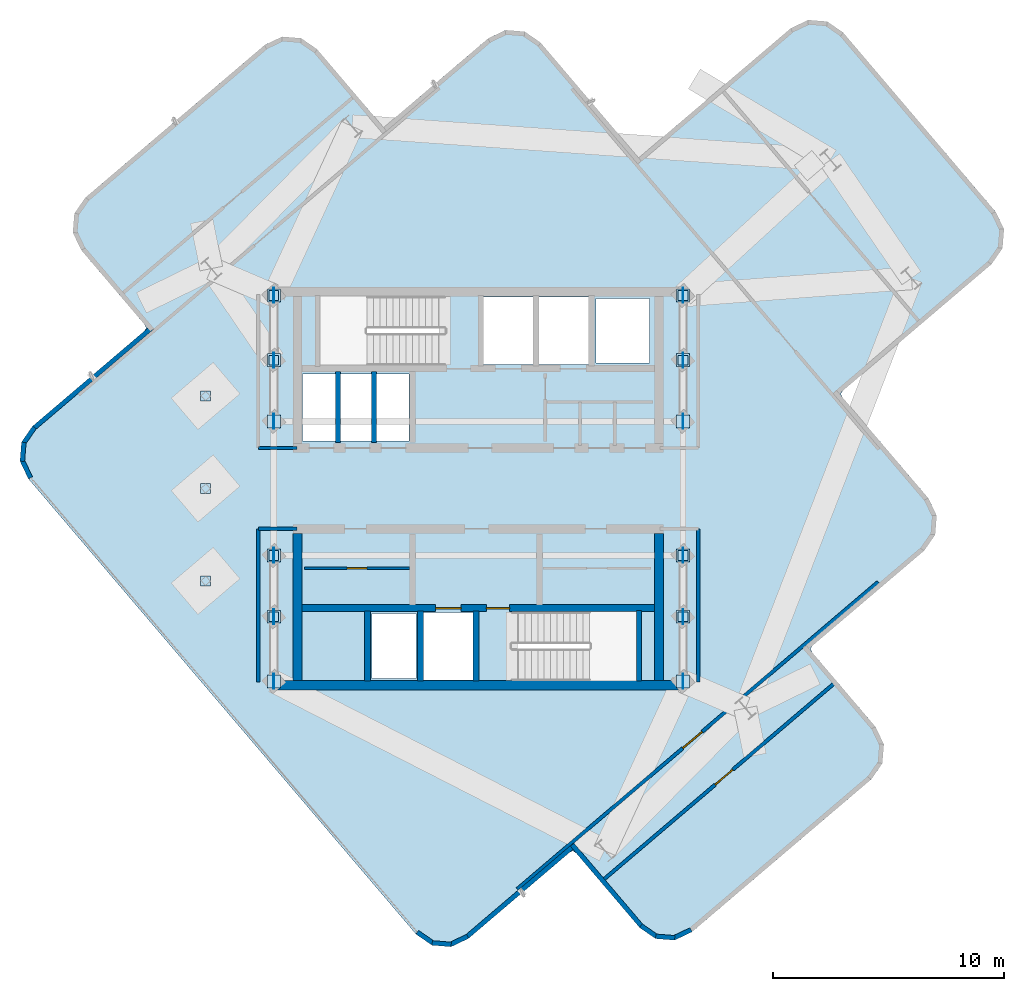
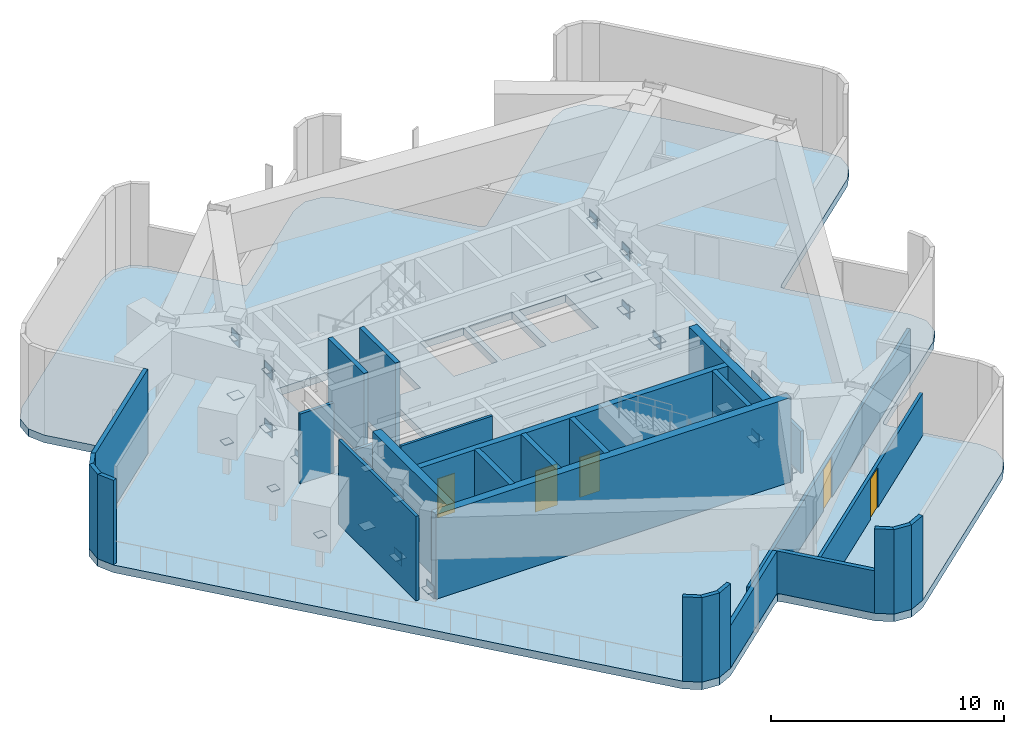
# One storey, part 2 of 7: 39 plates, 29 walls, 5 doors, 1 slab, 5 openings.
"""IFC4 building model written with IfcOpenShell, lengths in metres."""

from ifc_helpers import new_model, si_unit, direction, frame, frame_2d, origin, origin_2d, place, context, subcontext, project, spatial, polyline, rectangle, outline, extrude, material, layer, layer_set, type_object, element, fill, save


model = new_model("IFC4")

# Units and contexts
model_context = context("Model", 3, precision=1e-05, world=origin(), true_north=direction((0.0, 1.0)))
body_context = subcontext(model_context, "Body", "Model", "MODEL_VIEW")
ifc_project = project(units=[si_unit("LENGTHUNIT", "METRE"), si_unit("AREAUNIT", "SQUARE_METRE"), si_unit("VOLUMEUNIT", "CUBIC_METRE"), si_unit("PLANEANGLEUNIT", "RADIAN"), si_unit("MASSUNIT", "GRAM", prefix="KILO")], contexts=[model_context])

# Site, building, storey
site_placement = place(None, origin())
site = spatial("IfcSite", under=ifc_project, at=site_placement, CompositionType="ELEMENT")
building_placement = place(site_placement, origin())
building = spatial("IfcBuilding", under=site, at=building_placement, Name="Solmarez Civic Tower", CompositionType="ELEMENT")
storey_placement = place(building_placement, frame((0.0, 0.0, 239.39990234375)))
storey = spatial("IfcBuildingStorey", under=building, at=storey_placement, Name="L64", CompositionType="ELEMENT", Elevation=239.39990234375)

# Plates
ifc_material_1 = material(Name="Steel S355", Category="steel")
ifc_layer_1 = layer(ifc_material_1, 0.02392578125)
ifc_layer_set_1 = layer_set([ifc_layer_1], Name="Steel S355")
plate_type_1 = type_object("IfcPlateType", Name="PLT-CAP-380", PredefinedType="USERDEFINED", material=ifc_layer_set_1)
for number, where, z_axis, x_axis, name in (
    (1, (-8.85009765625, -5.550048828125, 3.358154296875), (0.0, 0.0, 1.0), (1.0, 0.0, 0.0), "Steel Member End Cap Plate CAP-BRC-L64-01-1"),
    (2, (-8.85009765625, -2.89990234375, 3.358154296875), (0.0, 0.0, 1.0), (1.0, 0.0, 0.0), "Steel Member End Cap Plate CAP-BRC-L64-02-1"),
    (3, (-8.85009765625, 5.550048828125, 3.358154296875), (0.0, 0.0, 1.0), (1.0, 0.0, 0.0), "Steel Member End Cap Plate CAP-BRC-L64-03-1"),
    (4, (-8.85009765625, 8.35009765625, 3.358154296875), (0.0, 0.0, 1.0), (1.0, 0.0, 0.0), "Steel Member End Cap Plate CAP-BRC-L64-04-1"),
    (5, (8.85009765625, -5.550048828125, 3.358154296875), (0.0, 0.0, 1.0), (1.0, 0.0, 0.0), "Steel Member End Cap Plate CAP-BRC-L64-05-1"),
    (6, (8.85009765625, -2.89990234375, 3.358154296875), (0.0, 0.0, 1.0), (1.0, 0.0, 0.0), "Steel Member End Cap Plate CAP-BRC-L64-06-1"),
    (7, (8.85009765625, 5.550048828125, 3.358154296875), (0.0, 0.0, 1.0), (1.0, 0.0, 0.0), "Steel Member End Cap Plate CAP-BRC-L64-07-1"),
    (8, (8.85009765625, 8.35009765625, 3.358154296875), (0.0, 0.0, 1.0), (1.0, 0.0, 0.0), "Steel Member End Cap Plate CAP-BRC-L64-08-1"),
    (9, (-11.800048828125, -4.0, 1.588134765625), (0.0, 0.0, 1.0), (1.0, 0.0, 0.0), "Steel Member End Cap Plate CAP-COL-WT-PED-1"),
    (10, (-11.800048828125, 0.0, 1.588134765625), (0.0, 0.0, 1.0), (1.0, 0.0, 0.0), "Steel Member End Cap Plate CAP-COL-WT-PED-2"),
    (11, (-11.800048828125, 4.0, 1.588134765625), (0.0, 0.0, 1.0), (1.0, 0.0, 0.0), "Steel Member End Cap Plate CAP-COL-WT-PED-3"),
):
    element("IfcPlate", number, at=place(storey_placement, frame(where, z_axis=z_axis, x_axis=x_axis)), inside=storey, type_object=plate_type_1, Name=name, ObjectType="CAP_PLATE", PredefinedType="USERDEFINED", context=body_context, shape_type="SweptSolid", body=[
        extrude(rectangle(XDim=0.419921875, YDim=0.419921875, at=origin_2d()), origin(), (0.0, 0.0, 1.0), 0.02392578125),
    ])
ifc_layer_2 = layer(ifc_material_1, 0.028076171875)
ifc_layer_set_2 = layer_set([ifc_layer_2], Name="Steel S355")
plate_type_2 = type_object("IfcPlateType", Name="PLT-CAP-540", PredefinedType="USERDEFINED", material=ifc_layer_set_2)
for number, where, z_axis, x_axis, name in (
    (12, (-8.85009765625, -8.35009765625, 0.3359375), (0.0, 0.0, 1.0), (1.0, 0.0, 0.0), "Steel Member End Cap Plate CAP-CHD-L64-01-0"),
    (13, (-8.85009765625, -5.550048828125, 0.3359375), (0.0, 0.0, 1.0), (1.0, 0.0, 0.0), "Steel Member End Cap Plate CAP-CHD-L64-01-1"),
    (14, (-8.85009765625, -2.89990234375, 0.3359375), (0.0, 0.0, 1.0), (1.0, 0.0, 0.0), "Steel Member End Cap Plate CAP-CHD-L64-02-1"),
    (15, (-8.85009765625, 2.89990234375, 0.3359375), (0.0, 0.0, 1.0), (1.0, 0.0, 0.0), "Steel Member End Cap Plate CAP-CHD-L64-03-0"),
    (16, (-8.85009765625, 5.550048828125, 0.3359375), (0.0, 0.0, 1.0), (1.0, 0.0, 0.0), "Steel Member End Cap Plate CAP-CHD-L64-03-1"),
    (17, (-8.85009765625, 8.35009765625, 0.3359375), (0.0, 0.0, 1.0), (1.0, 0.0, 0.0), "Steel Member End Cap Plate CAP-CHD-L64-04-1"),
    (18, (8.85009765625, -8.35009765625, 0.3359375), (0.0, 0.0, 1.0), (1.0, 0.0, 0.0), "Steel Member End Cap Plate CAP-CHD-L64-05-0"),
    (19, (8.85009765625, -5.550048828125, 0.3359375), (0.0, 0.0, 1.0), (1.0, 0.0, 0.0), "Steel Member End Cap Plate CAP-CHD-L64-05-1"),
    (20, (8.85009765625, -2.89990234375, 0.3359375), (0.0, 0.0, 1.0), (1.0, 0.0, 0.0), "Steel Member End Cap Plate CAP-CHD-L64-06-1"),
    (21, (8.85009765625, 2.89990234375, 0.3359375), (0.0, 0.0, 1.0), (1.0, 0.0, 0.0), "Steel Member End Cap Plate CAP-CHD-L64-07-0"),
    (22, (8.85009765625, 5.550048828125, 0.3359375), (0.0, 0.0, 1.0), (1.0, 0.0, 0.0), "Steel Member End Cap Plate CAP-CHD-L64-07-1"),
    (23, (8.85009765625, 8.35009765625, 0.3359375), (0.0, 0.0, 1.0), (1.0, 0.0, 0.0), "Steel Member End Cap Plate CAP-CHD-L64-08-1"),
):
    element("IfcPlate", number, at=place(storey_placement, frame(where, z_axis=z_axis, x_axis=x_axis)), inside=storey, type_object=plate_type_2, Name=name, ObjectType="CAP_PLATE", PredefinedType="USERDEFINED", context=body_context, shape_type="SweptSolid", body=[
        extrude(rectangle(XDim=0.56005859375, YDim=0.56005859375, at=origin_2d()), origin(), (0.0, 0.0, 1.0), 0.028076171875),
    ])
ifc_layer_3 = layer(ifc_material_1, 0.031982421875)
ifc_layer_set_3 = layer_set([ifc_layer_3], Name="Steel S355")
plate_type_3 = type_object("IfcPlateType", Name="PLT-GUSSET-32", PredefinedType="USERDEFINED", material=ifc_layer_set_3)
for number, where, z_axis, x_axis, name in (
    (24, (-8.85009765625, -8.35009765625, 0.025146484375), (0.0, 0.0, 1.0), (0.0, 1.0, 0.0), "L64 Structural Gusset Plate GUS-L64-01-0"),
    (25, (-8.85009765625, -5.550048828125, 3.045166015625), (0.0, 0.0, 1.0), (0.0, 1.0, 0.0), "L64 Structural Gusset Plate GUS-L64-01-1"),
    (26, (-8.85009765625, -5.550048828125, 0.025146484375), (0.0, 0.0, 1.0), (0.0, 1.0, 0.0), "L64 Structural Gusset Plate GUS-L64-02-0"),
    (27, (-8.85009765625, -2.89990234375, 3.045166015625), (0.0, 0.0, 1.0), (0.0, 1.0, 0.0), "L64 Structural Gusset Plate GUS-L64-02-1"),
    (28, (-8.85009765625, 2.89990234375, 0.025146484375), (0.0, 0.0, 1.0), (0.0, 1.0, 0.0), "L64 Structural Gusset Plate GUS-L64-03-0"),
    (29, (-8.85009765625, 5.550048828125, 3.045166015625), (0.0, 0.0, 1.0), (0.0, 1.0, 0.0), "L64 Structural Gusset Plate GUS-L64-03-1"),
    (30, (-8.85009765625, 5.550048828125, 0.025146484375), (0.0, 0.0, 1.0), (0.0, 1.0, 0.0), "L64 Structural Gusset Plate GUS-L64-04-0"),
    (31, (-8.85009765625, 8.35009765625, 3.045166015625), (0.0, 0.0, 1.0), (0.0, 1.0, 0.0), "L64 Structural Gusset Plate GUS-L64-04-1"),
    (32, (8.85009765625, -8.35009765625, 0.025146484375), (0.0, 0.0, 1.0), (0.0, 1.0, 0.0), "L64 Structural Gusset Plate GUS-L64-05-0"),
    (33, (8.85009765625, -5.550048828125, 3.045166015625), (0.0, 0.0, 1.0), (0.0, 1.0, 0.0), "L64 Structural Gusset Plate GUS-L64-05-1"),
    (34, (8.85009765625, -5.550048828125, 0.025146484375), (0.0, 0.0, 1.0), (0.0, 1.0, 0.0), "L64 Structural Gusset Plate GUS-L64-06-0"),
    (35, (8.85009765625, -2.89990234375, 3.045166015625), (0.0, 0.0, 1.0), (0.0, 1.0, 0.0), "L64 Structural Gusset Plate GUS-L64-06-1"),
    (36, (8.85009765625, 2.89990234375, 0.025146484375), (0.0, 0.0, 1.0), (0.0, 1.0, 0.0), "L64 Structural Gusset Plate GUS-L64-07-0"),
    (37, (8.85009765625, 5.550048828125, 3.045166015625), (0.0, 0.0, 1.0), (0.0, 1.0, 0.0), "L64 Structural Gusset Plate GUS-L64-07-1"),
    (38, (8.85009765625, 5.550048828125, 0.025146484375), (0.0, 0.0, 1.0), (0.0, 1.0, 0.0), "L64 Structural Gusset Plate GUS-L64-08-0"),
    (39, (8.85009765625, 8.35009765625, 3.045166015625), (0.0, 0.0, 1.0), (0.0, 1.0, 0.0), "L64 Structural Gusset Plate GUS-L64-08-1"),
):
    element("IfcPlate", number, at=place(storey_placement, frame(where, z_axis=z_axis, x_axis=x_axis)), inside=storey, type_object=plate_type_3, Name=name, ObjectType="GUSSET_PLATE", PredefinedType="USERDEFINED", context=body_context, shape_type="SweptSolid", body=[
        extrude(rectangle(XDim=0.64990234375, YDim=0.031982421875, at=origin_2d()), origin(), (0.0, 0.0, 1.0), 0.64990234375),
    ])

# Slab
ifc_material_2 = material(Name="Concrete C60/75", Category="concrete")
ifc_layer_4 = layer(ifc_material_2, 0.39990234375)
ifc_layer_set_4 = layer_set([ifc_layer_4], Name="Concrete C60/75")
slab_type = type_object("IfcSlabType", Name="SLAB-TRANS-400", PredefinedType="FLOOR", material=ifc_layer_set_4)
slab_placement = place(storey_placement, frame((0.0, 0.0, -0.39990234375)))
element("IfcSlab", 40, at=slab_placement, inside=storey, type_object=slab_type, Name="L64 Structural Slab", PredefinedType="FLOOR", context=body_context, shape_type="SweptSolid", body=[
    extrude(outline(polyline([(4.236083984375, -15.778076171875), (6.98388671875, -19.006103515625), (7.6650390625, -19.47607421875), (8.490966796875, -19.54296875), (9.239013671875, -19.18798828125), (17.007080078125, -12.576904296875), (17.47705078125, -11.89501953125), (17.54296875, -11.069091796875), (17.18798828125, -10.321044921875), (14.44091796875, -7.093017578125), (14.366943359375, -6.93701171875), (14.464111328125, -6.7958984375), (19.2919921875, -2.68701171875), (19.761962890625, -2.0048828125), (19.8291015625, -1.179931640625), (19.47412109375, -0.431884765625), (15.75390625, 3.93896484375), (15.679931640625, 4.093994140625), (15.778076171875, 4.236083984375), (22.205078125, 9.7060546875), (22.675048828125, 10.386962890625), (22.740966796875, 11.212890625), (22.385986328125, 11.9609375), (15.77490234375, 19.72900390625), (15.093017578125, 20.198974609375), (14.26806640625, 20.264892578125), (13.52001953125, 19.909912109375), (7.093017578125, 14.44091796875), (6.93701171875, 14.366943359375), (6.7958984375, 14.464111328125), (2.68701171875, 19.2919921875), (2.0048828125, 19.761962890625), (1.179931640625, 19.8291015625), (0.431884765625, 19.47412109375), (-3.93896484375, 15.75390625), (-4.093994140625, 15.679931640625), (-4.236083984375, 15.778076171875), (-6.98388671875, 19.006103515625), (-7.6650390625, 19.47607421875), (-8.490966796875, 19.54296875), (-9.239013671875, 19.18798828125), (-17.007080078125, 12.576904296875), (-17.47705078125, 11.89501953125), (-17.54296875, 11.069091796875), (-17.18798828125, 10.321044921875), (-14.44091796875, 7.093017578125), (-14.366943359375, 6.93701171875), (-14.464111328125, 6.7958984375), (-19.2919921875, 2.68701171875), (-19.761962890625, 2.0048828125), (-19.8291015625, 1.179931640625), (-19.47412109375, 0.431884765625), (-2.68701171875, -19.2919921875), (-2.0048828125, -19.761962890625), (-1.179931640625, -19.8291015625), (-0.431884765625, -19.47412109375), (3.93896484375, -15.75390625), (4.093994140625, -15.679931640625), (4.236083984375, -15.778076171875)]), holes=[polyline([(-1.449951171875, 8.320068359375), (-6.85009765625, 8.320068359375), (-6.85009765625, 5.320068359375), (-1.449951171875, 5.320068359375), (-1.449951171875, 8.320068359375)]), polyline([(1.449951171875, -8.320068359375), (6.85009765625, -8.320068359375), (6.85009765625, -5.320068359375), (1.449951171875, -5.320068359375), (1.449951171875, -8.320068359375)]), polyline([(0.219970703125, 5.360107421875), (2.3798828125, 5.360107421875), (2.3798828125, 8.280029296875), (0.219970703125, 8.280029296875), (0.219970703125, 5.360107421875)]), polyline([(2.6201171875, 5.360107421875), (4.780029296875, 5.360107421875), (4.780029296875, 8.280029296875), (2.6201171875, 8.280029296875), (2.6201171875, 5.360107421875)]), polyline([(-2.3798828125, -8.280029296875), (-0.219970703125, -8.280029296875), (-0.219970703125, -5.360107421875), (-2.3798828125, -5.360107421875), (-2.3798828125, -8.280029296875)]), polyline([(-7.60009765625, 2.06005859375), (-6.1201171875, 2.06005859375), (-6.1201171875, 4.9599609375), (-7.60009765625, 4.9599609375), (-7.60009765625, 2.06005859375)]), polyline([(-6.0400390625, 2.06005859375), (-4.56005859375, 2.06005859375), (-4.56005859375, 4.9599609375), (-6.0400390625, 4.9599609375), (-6.0400390625, 2.06005859375)]), polyline([(-4.47998046875, 2.06005859375), (-3.0, 2.06005859375), (-3.0, 4.9599609375), (-4.47998046875, 4.9599609375), (-4.47998046875, 2.06005859375)]), polyline([(5.10009765625, 5.419921875), (7.39990234375, 5.419921875), (7.39990234375, 8.219970703125), (5.10009765625, 8.219970703125), (5.10009765625, 5.419921875)]), polyline([(-4.60009765625, -8.219970703125), (-2.699951171875, -8.219970703125), (-2.699951171875, -5.419921875), (-4.60009765625, -5.419921875), (-4.60009765625, -8.219970703125)])]), origin(), (0.0, 0.0, 1.0), 0.39990234375),
])

# Walls
ifc_material_3 = material(Name="Concrete C50/60", Category="concrete")
ifc_layer_5 = layer(ifc_material_3, 0.39990234375)
ifc_layer_set_5 = layer_set([ifc_layer_5], Name="Concrete C50/60")
wall_type_1 = type_object("IfcWallType", Name="WALL-CORE-400", PredefinedType="SHEAR", material=ifc_layer_set_5)
wall_1_placement = place(storey_placement, frame((8.780029296875, -8.510009765625, 0.0), z_axis=(0.0, 0.0, 1.0), x_axis=(-1.0, 0.0, 0.0)))
element("IfcWall", 41, at=wall_1_placement, inside=storey, type_object=wall_type_1, Name="L64 Split-Core Structural Wall SCW-S-L64", PredefinedType="SHEAR", context=body_context, shape_type="SweptSolid", body=[
    extrude(rectangle(XDim=17.56005859375, YDim=0.39990234375, at=frame_2d((8.780029296875, 0.0))), origin(), (0.0, 0.0, 1.0), 4.420166015625),
])
for number, where, z_axis, x_axis, name in (
    (42, (-7.820068359375, -8.31005859375, 0.0), (0.0, 0.0, 1.0), (0.0, 1.0, 0.0), "L64 Split-Core Structural Wall SCW-W-L64"),
    (43, (7.820068359375, -1.949951171875, 0.0), (0.0, 0.0, 1.0), (0.0, -1.0, 0.0), "L64 Split-Core Structural Wall SCW-E-L64"),
):
    element("IfcWall", number, at=place(storey_placement, frame(where, z_axis=z_axis, x_axis=x_axis)), inside=storey, type_object=wall_type_1, Name=name, PredefinedType="SHEAR", context=body_context, shape_type="SweptSolid", body=[
        extrude(rectangle(XDim=6.360107421875, YDim=0.39990234375, at=frame_2d((3.18017578125, 0.0))), origin(), (0.0, 0.0, 1.0), 4.420166015625),
    ])
ifc_material_4 = material(Name="Precast concrete C40/50", Category="concrete")
ifc_layer_6 = layer(ifc_material_4, 0.199951171875)
ifc_layer_set_6 = layer_set([ifc_layer_6], Name="Precast concrete C40/50")
wall_type_2 = type_object("IfcWallType", Name="WALL-EXT-200", PredefinedType="SOLIDWALL", material=ifc_layer_set_6)
wall_2_placement = place(storey_placement, frame((4.172119140625, -15.424072265625, 0.0), z_axis=(0.0, 0.0, 1.0), x_axis=(-0.761580290689, -0.648070567789, 0.0)))
element("IfcWall", 44, at=wall_2_placement, inside=storey, type_object=wall_type_2, Name="L64 Exterior Precast Wall 2", PredefinedType="SOLIDWALL", context=body_context, shape_type="SweptSolid", body=[
    extrude(rectangle(XDim=6.142822265625, YDim=0.199951171875, at=frame_2d((3.0712890625, 0.0))), origin(), (0.0, 0.0, 1.0), 2.212158203125),
])
wall_3_placement = place(storey_placement, frame((-0.464111328125, -19.3779296875, 0.0), z_axis=(0.0, 0.0, 1.0), x_axis=(-0.903209829664, -0.429199258619, 0.0)))
element("IfcWall", 45, at=wall_3_placement, inside=storey, type_object=wall_type_2, Name="L64 Exterior Precast Wall 3", PredefinedType="SOLIDWALL", context=body_context, shape_type="SweptSolid", body=[
    extrude(rectangle(XDim=0.839111328125, YDim=0.199951171875, at=frame_2d((0.41943359375, 0.0))), origin(), (0.0, 0.0, 1.0), 4.420166015625),
])
wall_4_placement = place(storey_placement, frame((-1.174072265625, -19.72900390625, 0.0), z_axis=(0.0, 0.0, 1.0), x_axis=(-0.996800199392, 0.079933487923, 0.0)))
element("IfcWall", 46, at=wall_4_placement, inside=storey, type_object=wall_type_2, Name="L64 Exterior Precast Wall 4", PredefinedType="SOLIDWALL", context=body_context, shape_type="SweptSolid", body=[
    extrude(rectangle(XDim=0.82470703125, YDim=0.199951171875, at=frame_2d((0.412353515625, 0.0))), origin(), (0.0, 0.0, 1.0), 4.420166015625),
])
wall_5_placement = place(storey_placement, frame((-1.949951171875, -19.678955078125, 0.0), z_axis=(0.0, 0.0, 1.0), x_axis=(-0.823540820379, 0.567257011565, 0.0)))
element("IfcWall", 47, at=wall_5_placement, inside=storey, type_object=wall_type_2, Name="L64 Exterior Precast Wall 5", PredefinedType="SOLIDWALL", context=body_context, shape_type="SweptSolid", body=[
    extrude(rectangle(XDim=0.83935546875, YDim=0.199951171875, at=frame_2d((0.419677734375, 0.0))), origin(), (0.0, 0.0, 1.0), 4.420166015625),
])
wall_6_placement = place(storey_placement, frame((-19.3779296875, 0.464111328125, 0.0), z_axis=(0.0, 0.0, 1.0), x_axis=(-0.429199258619, 0.903209829664, 0.0)))
element("IfcWall", 48, at=wall_6_placement, inside=storey, type_object=wall_type_2, Name="L64 Exterior Precast Wall 7", PredefinedType="SOLIDWALL", context=body_context, shape_type="SweptSolid", body=[
    extrude(rectangle(XDim=0.839111328125, YDim=0.199951171875, at=frame_2d((0.41943359375, 0.0))), origin(), (0.0, 0.0, 1.0), 4.420166015625),
])
wall_7_placement = place(storey_placement, frame((-19.72900390625, 1.174072265625, 0.0), z_axis=(0.0, 0.0, 1.0), x_axis=(0.079933487923, 0.996800199392, 0.0)))
element("IfcWall", 49, at=wall_7_placement, inside=storey, type_object=wall_type_2, Name="L64 Exterior Precast Wall 8", PredefinedType="SOLIDWALL", context=body_context, shape_type="SweptSolid", body=[
    extrude(rectangle(XDim=0.82470703125, YDim=0.199951171875, at=frame_2d((0.412353515625, 0.0))), origin(), (0.0, 0.0, 1.0), 4.420166015625),
])
wall_8_placement = place(storey_placement, frame((-19.678955078125, 1.949951171875, 0.0), z_axis=(0.0, 0.0, 1.0), x_axis=(0.567257011565, 0.823540820379, 0.0)))
element("IfcWall", 50, at=wall_8_placement, inside=storey, type_object=wall_type_2, Name="L64 Exterior Precast Wall 9", PredefinedType="SOLIDWALL", context=body_context, shape_type="SweptSolid", body=[
    extrude(rectangle(XDim=0.83935546875, YDim=0.199951171875, at=frame_2d((0.419677734375, 0.0))), origin(), (0.0, 0.0, 1.0), 4.420166015625),
])
wall_9_placement = place(storey_placement, frame((-19.236083984375, 2.60400390625, 0.0), z_axis=(0.0, 0.0, 1.0), x_axis=(0.761575518431, 0.648076175867, 0.0)))
element("IfcWall", 51, at=wall_9_placement, inside=storey, type_object=wall_type_2, Name="L64 Exterior Precast Wall 10", PredefinedType="SOLIDWALL", context=body_context, shape_type="SweptSolid", body=[
    extrude(rectangle(XDim=6.7412109375, YDim=0.199951171875, at=frame_2d((3.37060546875, 0.0))), origin(), (0.0, 0.0, 1.0), 4.420166015625),
])
wall_10_placement = place(storey_placement, frame((9.20703125, -19.092041015625, 0.0), z_axis=(0.0, 0.0, 1.0), x_axis=(-0.903376142734, -0.428849093201, 0.0)))
element("IfcWall", 52, at=wall_10_placement, inside=storey, type_object=wall_type_2, Name="L64 Exterior Precast Wall 54", PredefinedType="SOLIDWALL", context=body_context, shape_type="SweptSolid", body=[
    extrude(rectangle(XDim=0.839111328125, YDim=0.199951171875, at=frame_2d((0.41943359375, 0.0))), origin(), (0.0, 0.0, 1.0), 4.420166015625),
])
wall_11_placement = place(storey_placement, frame((8.4970703125, -19.443115234375, 0.0), z_axis=(0.0, 0.0, 1.0), x_axis=(-0.996776567966, 0.080227635853, 0.0)))
element("IfcWall", 53, at=wall_11_placement, inside=storey, type_object=wall_type_2, Name="L64 Exterior Precast Wall 55", PredefinedType="SOLIDWALL", context=body_context, shape_type="SweptSolid", body=[
    extrude(rectangle(XDim=0.82470703125, YDim=0.199951171875, at=frame_2d((0.412353515625, 0.0))), origin(), (0.0, 0.0, 1.0), 4.420166015625),
])
wall_12_placement = place(storey_placement, frame((7.720947265625, -19.39306640625, 0.0), z_axis=(0.0, 0.0, 1.0), x_axis=(-0.823447180448, 0.567392933524, 0.0)))
element("IfcWall", 54, at=wall_12_placement, inside=storey, type_object=wall_type_2, Name="L64 Exterior Precast Wall 56", PredefinedType="SOLIDWALL", context=body_context, shape_type="SweptSolid", body=[
    extrude(rectangle(XDim=0.839111328125, YDim=0.199951171875, at=frame_2d((0.41943359375, 0.0))), origin(), (0.0, 0.0, 1.0), 4.420166015625),
])
wall_13_placement = place(storey_placement, frame((7.06689453125, -18.949951171875, 0.0), z_axis=(0.0, 0.0, 1.0), x_axis=(-0.648040740079, 0.761605671721, 0.0)))
element("IfcWall", 55, at=wall_13_placement, inside=storey, type_object=wall_type_2, Name="L64 Exterior Precast Wall 57", PredefinedType="SOLIDWALL", context=body_context, shape_type="SweptSolid", body=[
    extrude(rectangle(XDim=4.641357421875, YDim=0.199951171875, at=frame_2d((2.32080078125, 0.0))), origin(), (0.0, 0.0, 1.0), 2.212158203125),
])
ifc_material_5 = material(Name="Gypsum Board Acoustic Steel-Stud Partition", Category="steel")
ifc_layer_7 = layer(ifc_material_5, 0.14990234375)
ifc_layer_set_7 = layer_set([ifc_layer_7], Name="Gypsum Board Acoustic Steel-Stud Partition")
wall_type_3 = type_object("IfcWallType", Name="WALL-INT-FIRE-150", PredefinedType="PARTITIONING", material=ifc_layer_set_7)
wall_14_placement = place(storey_placement, frame((-7.85009765625, 1.75, 0.0), z_axis=(0.0, 0.0, 1.0), x_axis=(-1.0, 0.0, 0.0)))
element("IfcWall", 56, at=wall_14_placement, inside=storey, type_object=wall_type_3, Name="L64 Interior Partition CHW-L64-WN3", PredefinedType="PARTITIONING", context=body_context, shape_type="SweptSolid", body=[
    extrude(rectangle(XDim=1.669921875, YDim=0.14990234375, at=frame_2d((0.8349609375, 0.0))), origin(), (0.0, 0.0, 1.0), 3.650146484375),
])
wall_15_placement = place(storey_placement, frame((-9.52001953125, -8.3798828125, 0.0), z_axis=(0.0, 0.0, 1.0), x_axis=(0.0, 1.0, 0.0)))
element("IfcWall", 57, at=wall_15_placement, inside=storey, type_object=wall_type_3, Name="L64 Interior Partition CHW-L64-WS1", PredefinedType="PARTITIONING", context=body_context, shape_type="SweptSolid", body=[
    extrude(rectangle(XDim=6.6298828125, YDim=0.14990234375, at=frame_2d((3.31494140625, 0.0))), origin(), (0.0, 0.0, 1.0), 4.420166015625),
])
wall_16_placement = place(storey_placement, frame((-7.85009765625, -1.75, 0.0), z_axis=(0.0, 0.0, 1.0), x_axis=(-1.0, 0.0, 0.0)))
element("IfcWall", 58, at=wall_16_placement, inside=storey, type_object=wall_type_3, Name="L64 Interior Partition CHW-L64-WS3", PredefinedType="PARTITIONING", context=body_context, shape_type="SweptSolid", body=[
    extrude(rectangle(XDim=1.669921875, YDim=0.14990234375, at=frame_2d((0.8349609375, 0.0))), origin(), (0.0, 0.0, 1.0), 3.650146484375),
])
wall_17_placement = place(storey_placement, frame((9.52001953125, -8.3798828125, 0.0), z_axis=(0.0, 0.0, 1.0), x_axis=(0.0, 1.0, 0.0)))
element("IfcWall", 59, at=wall_17_placement, inside=storey, type_object=wall_type_3, Name="L64 Interior Partition CHW-L64-ES1", PredefinedType="PARTITIONING", context=body_context, shape_type="SweptSolid", body=[
    extrude(rectangle(XDim=6.6298828125, YDim=0.14990234375, at=frame_2d((3.31494140625, 0.0))), origin(), (0.0, 0.0, 1.0), 2.212158203125),
])

# Wall, opening, door
wall_18_placement = place(storey_placement, frame((17.2958984375, -4.044921875, 0.0), z_axis=(0.0, 0.0, 1.0), x_axis=(-0.761551896035, -0.648103934292, 0.0)))
wall_18 = element("IfcWall", 60, at=wall_18_placement, inside=storey, type_object=wall_type_3, Name="L64 Interior Partition PT-L64-S-ENT", PredefinedType="PARTITIONING", context=body_context, shape_type="SweptSolid", body=[
    extrude(rectangle(XDim=20.5, YDim=0.14990234375, at=frame_2d((10.25, 0.0))), origin(), (0.0, 0.0, 1.0), 2.212158203125),
])
opening_1_placement = place(wall_18_placement, frame((9.9990234375, 0.0, 0.0)))
opening_1 = element("IfcOpeningElement", 61, at=opening_1_placement, cuts=wall_18, Name="Opening D-07", PredefinedType="OPENING", context=body_context, shape_type="SweptSolid", body=[
    extrude(rectangle(XDim=1.10009765625, YDim=2.14990234375, at=frame_2d((0.550048828125, 1.074951171875))), frame((0.0, 0.0849609375, 0.0), z_axis=(0.0, -1.0, 0.0), x_axis=(1.0, 0.0, 0.0)), (0.0, 0.0, 1.0), 0.169921875),
])
ifc_material_6 = material(Name="Heavy-Duty Fire Exit Door", Category="wood")
door_type_1 = type_object("IfcDoorType", Name="DOOR-FD90-1100", OperationType="NOTDEFINED", PredefinedType="DOOR", material=ifc_material_6)
door_1_placement = place(opening_1_placement, origin())
door_1 = element("IfcDoor", 62, at=door_1_placement, inside=storey, type_object=door_type_1, Name="L64 Air Handling Fan Plant Room Door", OperationType="SINGLE_SWING_RIGHT", OverallHeight=2.14990234375, OverallWidth=1.10009765625, PredefinedType="DOOR", context=body_context, shape_type="SweptSolid", body=[
    extrude(rectangle(XDim=1.10009765625, YDim=2.14990234375, at=frame_2d((0.550048828125, 1.074951171875))), frame((0.0, 0.02490234375, 0.0), z_axis=(0.0, -1.0, 0.0), x_axis=(1.0, 0.0, 0.0)), (0.0, 0.0, 1.0), 0.050048828125),
])
fill(opening_1, door_1)

wall_19_placement = place(storey_placement, frame((15.3779296875, -8.448974609375, 0.0), z_axis=(0.0, 0.0, 1.0), x_axis=(-0.761592155386, -0.648056624729, 0.0)))
wall_19 = element("IfcWall", 63, at=wall_19_placement, inside=storey, type_object=wall_type_3, Name="L64 Interior Partition PT-L64-S-MID", PredefinedType="PARTITIONING", context=body_context, shape_type="SweptSolid", body=[
    extrude(rectangle(XDim=13.06982421875, YDim=0.14990234375, at=frame_2d((6.534912109375, 0.0))), origin(), (0.0, 0.0, 1.0), 2.212158203125),
])
opening_2_placement = place(wall_19_placement, frame((5.735107421875, 0.0, 0.0)))
opening_2 = element("IfcOpeningElement", 64, at=opening_2_placement, cuts=wall_19, Name="Opening D-04", PredefinedType="OPENING", context=body_context, shape_type="SweptSolid", body=[
    extrude(rectangle(XDim=1.0, YDim=2.10009765625, at=frame_2d((0.5, 1.050048828125))), frame((0.0, 0.0849609375, 0.0), z_axis=(0.0, -1.0, 0.0), x_axis=(1.0, 0.0, 0.0)), (0.0, 0.0, 1.0), 0.169921875),
])
ifc_material_7 = material(Name="Steel-Faced Acoustic Fire Door", Category="steel")
door_type_2 = type_object("IfcDoorType", Name="DOOR-FD60-1000", OperationType="NOTDEFINED", PredefinedType="DOOR", material=ifc_material_7)
door_2_placement = place(opening_2_placement, origin())
door_2 = element("IfcDoor", 65, at=door_2_placement, inside=storey, type_object=door_type_2, Name="L64 Belt Truss Mechanical Plant Room Door", OperationType="SINGLE_SWING_RIGHT", OverallHeight=2.10009765625, OverallWidth=1.0, PredefinedType="DOOR", context=body_context, shape_type="SweptSolid", body=[
    extrude(rectangle(XDim=1.0, YDim=2.10009765625, at=frame_2d((0.5, 1.050048828125))), frame((0.0, 0.02490234375, 0.0), z_axis=(0.0, -1.0, 0.0), x_axis=(1.0, 0.0, 0.0)), (0.0, 0.0, 1.0), 0.050048828125),
])
fill(opening_2, door_2)

ifc_layer_8 = layer(ifc_material_5, 0.1201171875)
ifc_layer_set_8 = layer_set([ifc_layer_8], Name="Gypsum Board Acoustic Steel-Stud Partition")
wall_type_4 = type_object("IfcWallType", Name="WALL-INT-PART-120", PredefinedType="PARTITIONING", material=ifc_layer_set_8)
wall_20_placement = place(storey_placement, frame((-7.52001953125, -3.449951171875, 0.0), z_axis=(0.0, 0.0, 1.0), x_axis=(1.0, 0.0, 0.0)))
wall_20 = element("IfcWall", 66, at=wall_20_placement, inside=storey, type_object=wall_type_4, Name="L64 Interior Partition PT-FPLM-L64", PredefinedType="PARTITIONING", context=body_context, shape_type="SweptSolid", body=[
    extrude(rectangle(XDim=4.5400390625, YDim=0.1201171875, at=frame_2d((2.27001953125, 0.0))), origin(), (0.0, 0.0, 1.0), 4.420166015625),
])
opening_3_placement = place(wall_20_placement, frame((1.840087890625, 0.0, 0.0)))
opening_3 = element("IfcOpeningElement", 67, at=opening_3_placement, cuts=wall_20, Name="Opening D-14", PredefinedType="OPENING", context=body_context, shape_type="SweptSolid", body=[
    extrude(rectangle(XDim=0.860107421875, YDim=2.0400390625, at=frame_2d((0.43017578125, 1.02001953125))), frame((0.0, 0.070068359375, 0.0), z_axis=(0.0, -1.0, 0.0), x_axis=(1.0, 0.0, 0.0)), (0.0, 0.0, 1.0), 0.14013671875),
])
ifc_material_8 = material(Name="Timber Storage and Pantry Door", Category="wood")
door_type_3 = type_object("IfcDoorType", Name="DOOR-INT-850", OperationType="NOTDEFINED", PredefinedType="DOOR", material=ifc_material_8)
door_3_placement = place(opening_3_placement, origin())
door_3 = element("IfcDoor", 68, at=door_3_placement, inside=storey, type_object=door_type_3, Name="L64 Directorate Copy Office Door", OperationType="SINGLE_SWING_RIGHT", OverallHeight=2.0400390625, OverallWidth=0.860107421875, PredefinedType="DOOR", context=body_context, shape_type="SweptSolid", body=[
    extrude(rectangle(XDim=0.860107421875, YDim=2.0400390625, at=frame_2d((0.43017578125, 1.02001953125))), frame((0.0, 0.02490234375, 0.0), z_axis=(0.0, -1.0, 0.0), x_axis=(1.0, 0.0, 0.0)), (0.0, 0.0, 1.0), 0.050048828125),
])
fill(opening_3, door_3)

# Wall, openings, doors
ifc_layer_9 = layer(ifc_material_3, 0.300048828125)
ifc_layer_set_9 = layer_set([ifc_layer_9], Name="Concrete C50/60")
wall_type_5 = type_object("IfcWallType", Name="WALL-STR-300", PredefinedType="SOLIDWALL", material=ifc_layer_set_9)
wall_21_placement = place(storey_placement, frame((-7.6201171875, -5.179931640625, 0.0), z_axis=(0.0, 0.0, 1.0), x_axis=(1.0, 0.0, 0.0)))
wall_21 = element("IfcWall", 69, at=wall_21_placement, inside=storey, type_object=wall_type_5, Name="L64 Split-Core Structural Wall SCW-M-L64", PredefinedType="SOLIDWALL", context=body_context, shape_type="SweptSolid", body=[
    extrude(rectangle(XDim=15.240234375, YDim=0.300048828125, at=frame_2d((7.6201171875, 0.0))), origin(), (0.0, 0.0, 1.0), 4.420166015625),
])
opening_4_placement = place(wall_21_placement, frame((5.77001953125, 0.0, 0.0)))
opening_4 = element("IfcOpeningElement", 70, at=opening_4_placement, cuts=wall_21, Name="Opening LD-02", PredefinedType="OPENING", context=body_context, shape_type="SweptSolid", body=[
    extrude(rectangle(XDim=1.10009765625, YDim=2.14990234375, at=frame_2d((0.550048828125, 1.074951171875))), frame((0.0, 0.159912109375, 0.0), z_axis=(0.0, -1.0, 0.0), x_axis=(1.0, 0.0, 0.0)), (0.0, 0.0, 1.0), 0.320068359375),
])
opening_5_placement = place(wall_21_placement, frame((7.969970703125, 0.0, 0.0)))
opening_5 = element("IfcOpeningElement", 71, at=opening_5_placement, cuts=wall_21, Name="Opening D-05", PredefinedType="OPENING", context=body_context, shape_type="SweptSolid", body=[
    extrude(rectangle(XDim=1.0, YDim=2.10009765625, at=frame_2d((0.5, 1.050048828125))), frame((0.0, 0.159912109375, 0.0), z_axis=(0.0, -1.0, 0.0), x_axis=(1.0, 0.0, 0.0)), (0.0, 0.0, 1.0), 0.320068359375),
])
ifc_material_9 = material(Name="Fire-Rated Stairwell Exit Door", Category="wood")
door_type_4 = type_object("IfcDoorType", Name="DOOR-FD90-1000", OperationType="NOTDEFINED", PredefinedType="DOOR", material=ifc_material_9)
door_4_placement = place(opening_5_placement, origin())
door_4 = element("IfcDoor", 72, at=door_4_placement, inside=storey, type_object=door_type_4, Name="L64 South Exit Stair Door ST-2", OperationType="SINGLE_SWING_RIGHT", OverallHeight=2.10009765625, OverallWidth=1.0, PredefinedType="DOOR", context=body_context, shape_type="SweptSolid", body=[
    extrude(rectangle(XDim=1.0, YDim=2.10009765625, at=frame_2d((0.5, 1.050048828125))), frame((0.0, 0.02490234375, 0.0), z_axis=(0.0, -1.0, 0.0), x_axis=(1.0, 0.0, 0.0)), (0.0, 0.0, 1.0), 0.050048828125),
])
fill(opening_5, door_4)
ifc_material_10 = material(Name="Stainless Firefighting Lift Landing Sliding Door", Category="aluminium")
door_type_5 = type_object("IfcDoorType", Name="DOOR-LD-FF-1100", OperationType="DOUBLE_DOOR_SLIDING", PredefinedType="DOOR", material=ifc_material_10)
door_5_placement = place(opening_4_placement, origin())
door_5 = element("IfcDoor", 73, at=door_5_placement, inside=storey, type_object=door_type_5, Name="L64 Firefighting Lift Landing Door FFL-2", OperationType="DOUBLE_DOOR_SLIDING", OverallHeight=2.14990234375, OverallWidth=1.10009765625, PredefinedType="DOOR", context=body_context, shape_type="SweptSolid", body=[
    extrude(rectangle(XDim=1.10009765625, YDim=2.14990234375, at=frame_2d((0.550048828125, 1.074951171875))), frame((0.0, 0.02490234375, 0.0), z_axis=(0.0, -1.0, 0.0), x_axis=(1.0, 0.0, 0.0)), (0.0, 0.0, 1.0), 0.050048828125),
])
fill(opening_4, door_5)

# Walls
wall_22_placement = place(storey_placement, frame((6.949951171875, -8.340087890625, 0.0), z_axis=(0.0, 0.0, 1.0), x_axis=(0.0, 1.0, 0.0)))
element("IfcWall", 74, at=wall_22_placement, inside=storey, type_object=wall_type_5, Name="L64 Split-Core Structural Wall SHW-SE-L64", PredefinedType="SOLIDWALL", context=body_context, shape_type="SweptSolid", body=[
    extrude(rectangle(XDim=3.06005859375, YDim=0.219970703125, at=frame_2d((1.530029296875, 0.0))), origin(), (0.0, 0.0, 1.0), 4.420166015625),
])
for number, where, z_axis, x_axis, name in (
    (75, (-0.10009765625, -8.340087890625, 0.0), (0.0, 0.0, 1.0), (0.0, 1.0, 0.0), "L64 Split-Core Structural Wall SHW-S1-L64"),
    (76, (-2.5, -8.340087890625, 0.0), (0.0, 0.0, 1.0), (0.0, 1.0, 0.0), "L64 Split-Core Structural Wall SHW-S2-L64"),
    (77, (-4.800048828125, -8.340087890625, 0.0), (0.0, 0.0, 1.0), (0.0, 1.0, 0.0), "L64 Split-Core Structural Wall SHW-S3-L64"),
):
    element("IfcWall", number, at=place(storey_placement, frame(where, z_axis=z_axis, x_axis=x_axis)), inside=storey, type_object=wall_type_5, Name=name, PredefinedType="SOLIDWALL", context=body_context, shape_type="SweptSolid", body=[
        extrude(rectangle(XDim=3.0400390625, YDim=0.25, at=frame_2d((1.52001953125, 0.0))), origin(), (0.0, 0.0, 1.0), 4.420166015625),
    ])
for number, where, z_axis, x_axis, name in (
    (78, (-6.080078125, 1.97998046875, 0.0), (0.0, 0.0, 1.0), (0.0, 1.0, 0.0), "L64 Split-Core Structural Wall SHW-PLH-L64-1"),
    (79, (-4.52001953125, 1.97998046875, 0.0), (0.0, 0.0, 1.0), (0.0, 1.0, 0.0), "L64 Split-Core Structural Wall SHW-PLH-L64-2"),
):
    element("IfcWall", number, at=place(storey_placement, frame(where, z_axis=z_axis, x_axis=x_axis)), inside=storey, type_object=wall_type_5, Name=name, PredefinedType="SOLIDWALL", context=body_context, shape_type="SweptSolid", body=[
        extrude(rectangle(XDim=3.070068359375, YDim=0.219970703125, at=frame_2d((1.53515625, 0.0))), origin(), (0.0, 0.0, 1.0), 4.420166015625),
    ])

save(model, "model.ifc")
